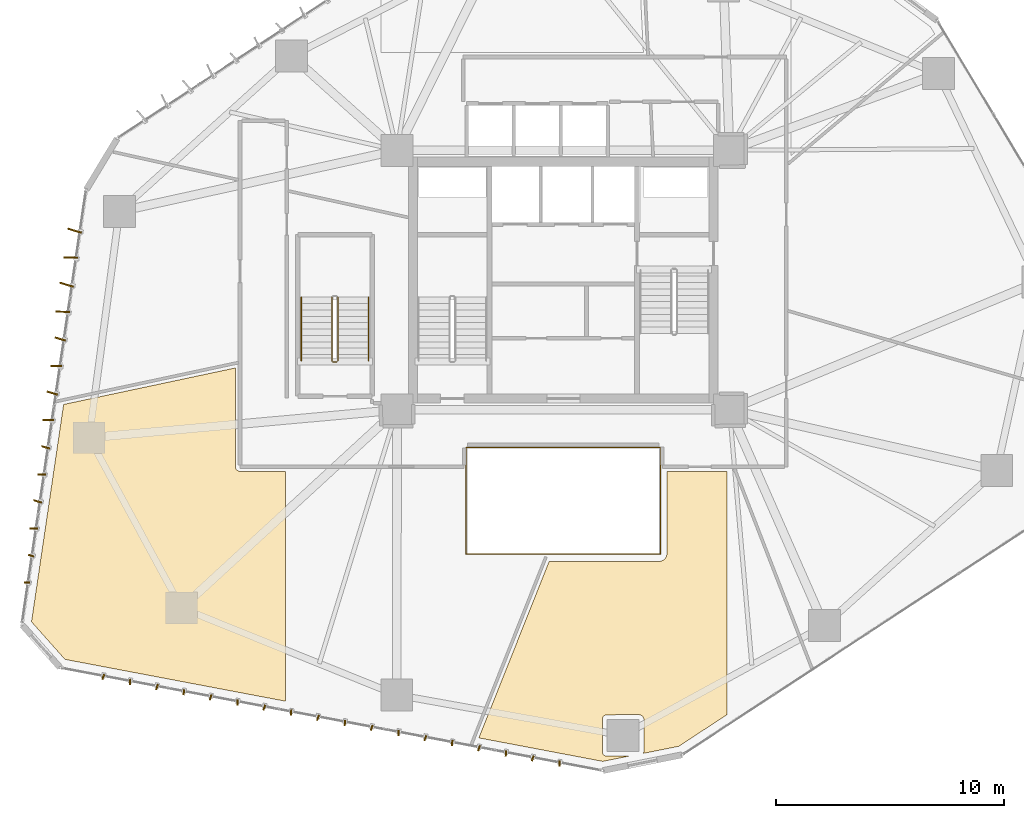
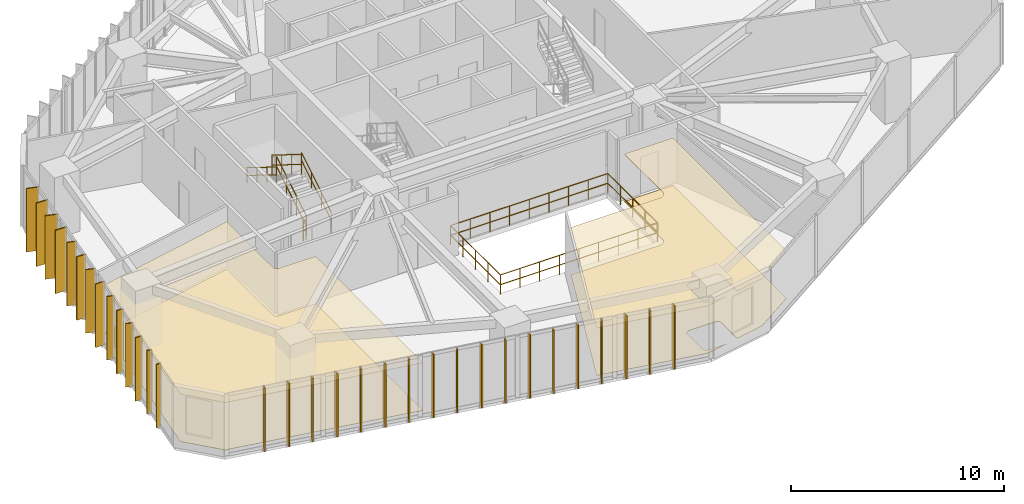
# One storey, part 19 of 20: 32 shading devices, 9 railings, 4 coverings.
"""IFC4 building model written with IfcOpenShell, lengths in metres."""

from ifc_helpers import new_model, si_unit, direction, frame, origin, origin_2d, place, context, subcontext, project, spatial, polyline, rectangle, circle, outline, extrude, source, transform, mapped, material, layer, layer_set, type_object, type_shapes, element, save


model = new_model("IFC4")

# Units and contexts
model_context = context("Model", 3, precision=1e-05, world=origin(), true_north=direction((0.0, 1.0)))
body_context = subcontext(model_context, "Body", "Model", "MODEL_VIEW")
ifc_project = project(units=[si_unit("LENGTHUNIT", "METRE"), si_unit("AREAUNIT", "SQUARE_METRE"), si_unit("VOLUMEUNIT", "CUBIC_METRE"), si_unit("PLANEANGLEUNIT", "RADIAN"), si_unit("MASSUNIT", "GRAM", prefix="KILO")], contexts=[model_context])

# Site, building, storey
site_placement = place(None, origin())
site = spatial("IfcSite", under=ifc_project, at=site_placement, CompositionType="ELEMENT")
building_placement = place(site_placement, origin())
building = spatial("IfcBuilding", under=site, at=building_placement, Name="Talar Marvaseh", CompositionType="ELEMENT")
storey_placement = place(building_placement, frame((0.0, 0.0, 58.199951171875)))
storey = spatial("IfcBuildingStorey", under=building, at=storey_placement, Name="L14", CompositionType="ELEMENT", Elevation=58.199951171875)

# Railings
ifc_material_1 = material(Name="Stainless Steel Grade 316", Category="steel")
railing_type_1 = type_object("IfcRailingType", Name="Brushed Stainless Wall Pitch Handrail 900", PredefinedType="HANDRAIL", material=ifc_material_1)
railing_1_placement = place(storey_placement, frame((17.449951171875, 27.64990234375, 0.1728515625)))
element("IfcRailing", 1, at=railing_1_placement, inside=storey, type_object=railing_type_1, Name="L14 ST-3 stair handrail 1", PredefinedType="HANDRAIL", context=body_context, shape_type="SweptSolid", body=[
    extrude(circle(Radius=0.02392578125, at=origin_2d()), frame((0.0, 0.0, 0.8759765625), z_axis=(0.0, 0.851089632645, 0.525020415988), x_axis=(-1.0, 0.0, 0.0)), (0.0, 0.0, 1.0), 3.2900390625),
    extrude(circle(Radius=0.02392578125, at=origin_2d()), frame((0.0, 0.0, 0.42578125), z_axis=(0.0, 0.851089632645, 0.525020415988), x_axis=(-1.0, 0.0, 0.0)), (0.0, 0.0, 1.0), 3.2900390625),
    extrude(circle(Radius=0.02099609375, at=origin_2d()), origin(), (0.0, 0.0, 1.0), 0.851806640625),
    extrude(circle(Radius=0.02099609375, at=origin_2d()), frame((0.0, 0.933349609375, 0.57568359375)), (0.0, 0.0, 1.0), 0.851806640625),
    extrude(circle(Radius=0.02099609375, at=origin_2d()), frame((0.0, 1.86669921875, 1.151611328125)), (0.0, 0.0, 1.0), 0.851806640625),
    extrude(circle(Radius=0.02099609375, at=origin_2d()), frame((0.0, 2.800048828125, 1.727294921875)), (0.0, 0.0, 1.0), 0.851806640625),
])
railing_2_placement = place(storey_placement, frame((14.489990234375, 30.449951171875, 2.07275390625)))
element("IfcRailing", 2, at=railing_2_placement, inside=storey, type_object=railing_type_1, Name="L14 ST-3 stair handrail 2", PredefinedType="HANDRAIL", context=body_context, shape_type="SweptSolid", body=[
    extrude(circle(Radius=0.02392578125, at=origin_2d()), frame((0.0, 0.0, 0.8759765625), z_axis=(0.0, -0.851089632645, 0.525020415988), x_axis=(1.0, 0.0, 0.0)), (0.0, 0.0, 1.0), 3.2900390625),
    extrude(circle(Radius=0.02392578125, at=origin_2d()), frame((0.0, 0.0, 0.42578125), z_axis=(0.0, -0.851089632645, 0.525020415988), x_axis=(1.0, 0.0, 0.0)), (0.0, 0.0, 1.0), 3.2900390625),
    extrude(circle(Radius=0.02099609375, at=origin_2d()), origin(), (0.0, 0.0, 1.0), 0.851806640625),
    extrude(circle(Radius=0.02099609375, at=origin_2d()), frame((0.0, -0.933349609375, 0.57568359375)), (0.0, 0.0, 1.0), 0.851806640625),
    extrude(circle(Radius=0.02099609375, at=origin_2d()), frame((0.0, -1.86669921875, 1.151611328125)), (0.0, 0.0, 1.0), 0.851806640625),
    extrude(circle(Radius=0.02099609375, at=origin_2d()), frame((0.0, -2.800048828125, 1.727294921875)), (0.0, 0.0, 1.0), 0.851806640625),
])
ifc_material_2 = material(Name="Tempered Clear Glass", Category="glass")
railing_type_2 = type_object("IfcRailingType", Name="Interior Atrium Edge Balustrade 1120", PredefinedType="BALUSTRADE", material=ifc_material_2)
railing_3_placement = place(storey_placement, frame((21.729736328125, 19.16162109375, 0.0)))
element("IfcRailing", 3, at=railing_3_placement, inside=storey, type_object=railing_type_2, Name="L14 Internal Daylight Atrium Balustrade 1", PredefinedType="BALUSTRADE", context=body_context, shape_type="SweptSolid", body=[
    extrude(circle(Radius=0.02392578125, at=origin_2d()), frame((0.0, 0.0, 1.09619140625), z_axis=(1.0, 0.0, 0.0), x_axis=(0.0, 1.0, 0.0)), (0.0, 0.0, 1.0), 8.54052734375),
    extrude(circle(Radius=0.02392578125, at=origin_2d()), frame((0.0, 0.0, 0.5361328125), z_axis=(1.0, 0.0, 0.0), x_axis=(0.0, 1.0, 0.0)), (0.0, 0.0, 1.0), 8.54052734375),
    extrude(circle(Radius=0.02099609375, at=origin_2d()), origin(), (0.0, 0.0, 1.0), 1.072021484375),
    extrude(circle(Radius=0.02099609375, at=origin_2d()), frame((1.067626953125, 0.0, 0.0)), (0.0, 0.0, 1.0), 1.072021484375),
    extrude(circle(Radius=0.02099609375, at=origin_2d()), frame((2.13525390625, 0.0, 0.0)), (0.0, 0.0, 1.0), 1.072021484375),
    extrude(circle(Radius=0.02099609375, at=origin_2d()), frame((3.20263671875, 0.0, 0.0)), (0.0, 0.0, 1.0), 1.072021484375),
    extrude(circle(Radius=0.02099609375, at=origin_2d()), frame((4.270263671875, 0.0, 0.0)), (0.0, 0.0, 1.0), 1.072021484375),
    extrude(circle(Radius=0.02099609375, at=origin_2d()), frame((5.337890625, 0.0, 0.0)), (0.0, 0.0, 1.0), 1.072021484375),
    extrude(circle(Radius=0.02099609375, at=origin_2d()), frame((6.4052734375, 0.0, 0.0)), (0.0, 0.0, 1.0), 1.072021484375),
    extrude(circle(Radius=0.02099609375, at=origin_2d()), frame((7.472900390625, 0.0, 0.0)), (0.0, 0.0, 1.0), 1.072021484375),
    extrude(circle(Radius=0.02099609375, at=origin_2d()), frame((8.54052734375, 0.0, 0.0)), (0.0, 0.0, 1.0), 1.072021484375),
])
railing_4_placement = place(storey_placement, frame((30.270263671875, 19.16162109375, 0.0)))
element("IfcRailing", 4, at=railing_4_placement, inside=storey, type_object=railing_type_2, Name="L14 Internal Daylight Atrium Balustrade 2", PredefinedType="BALUSTRADE", context=body_context, shape_type="SweptSolid", body=[
    extrude(circle(Radius=0.02392578125, at=origin_2d()), frame((0.0, 0.0, 1.09619140625), z_axis=(0.0, 1.0, 0.0), x_axis=(-1.0, 0.0, 0.0)), (0.0, 0.0, 1.0), 4.6767578125),
    extrude(circle(Radius=0.02392578125, at=origin_2d()), frame((0.0, 0.0, 0.5361328125), z_axis=(0.0, 1.0, 0.0), x_axis=(-1.0, 0.0, 0.0)), (0.0, 0.0, 1.0), 4.6767578125),
    extrude(circle(Radius=0.02099609375, at=origin_2d()), origin(), (0.0, 0.0, 1.0), 1.072021484375),
    extrude(circle(Radius=0.02099609375, at=origin_2d()), frame((0.0, 1.169189453125, 0.0)), (0.0, 0.0, 1.0), 1.072021484375),
    extrude(circle(Radius=0.02099609375, at=origin_2d()), frame((0.0, 2.33837890625, 0.0)), (0.0, 0.0, 1.0), 1.072021484375),
    extrude(circle(Radius=0.02099609375, at=origin_2d()), frame((0.0, 3.507568359375, 0.0)), (0.0, 0.0, 1.0), 1.072021484375),
    extrude(circle(Radius=0.02099609375, at=origin_2d()), frame((0.0, 4.6767578125, 0.0)), (0.0, 0.0, 1.0), 1.072021484375),
])
railing_5_placement = place(storey_placement, frame((30.270263671875, 23.83837890625, 0.0)))
element("IfcRailing", 5, at=railing_5_placement, inside=storey, type_object=railing_type_2, Name="L14 Internal Daylight Atrium Balustrade 3", PredefinedType="BALUSTRADE", context=body_context, shape_type="SweptSolid", body=[
    extrude(circle(Radius=0.02392578125, at=origin_2d()), frame((0.0, 0.0, 1.09619140625), z_axis=(-1.0, 0.0, 0.0), x_axis=(0.0, -1.0, 0.0)), (0.0, 0.0, 1.0), 8.54052734375),
    extrude(circle(Radius=0.02392578125, at=origin_2d()), frame((0.0, 0.0, 0.5361328125), z_axis=(-1.0, 0.0, 0.0), x_axis=(0.0, -1.0, 0.0)), (0.0, 0.0, 1.0), 8.54052734375),
    extrude(circle(Radius=0.02099609375, at=origin_2d()), origin(), (0.0, 0.0, 1.0), 1.072021484375),
    extrude(circle(Radius=0.02099609375, at=origin_2d()), frame((-1.067626953125, 0.0, 0.0)), (0.0, 0.0, 1.0), 1.072021484375),
    extrude(circle(Radius=0.02099609375, at=origin_2d()), frame((-2.13525390625, 0.0, 0.0)), (0.0, 0.0, 1.0), 1.072021484375),
    extrude(circle(Radius=0.02099609375, at=origin_2d()), frame((-3.20263671875, 0.0, 0.0)), (0.0, 0.0, 1.0), 1.072021484375),
    extrude(circle(Radius=0.02099609375, at=origin_2d()), frame((-4.270263671875, 0.0, 0.0)), (0.0, 0.0, 1.0), 1.072021484375),
    extrude(circle(Radius=0.02099609375, at=origin_2d()), frame((-5.337890625, 0.0, 0.0)), (0.0, 0.0, 1.0), 1.072021484375),
    extrude(circle(Radius=0.02099609375, at=origin_2d()), frame((-6.4052734375, 0.0, 0.0)), (0.0, 0.0, 1.0), 1.072021484375),
    extrude(circle(Radius=0.02099609375, at=origin_2d()), frame((-7.472900390625, 0.0, 0.0)), (0.0, 0.0, 1.0), 1.072021484375),
    extrude(circle(Radius=0.02099609375, at=origin_2d()), frame((-8.54052734375, 0.0, 0.0)), (0.0, 0.0, 1.0), 1.072021484375),
])
railing_6_placement = place(storey_placement, frame((21.729736328125, 23.83837890625, 0.0)))
element("IfcRailing", 6, at=railing_6_placement, inside=storey, type_object=railing_type_2, Name="L14 Internal Daylight Atrium Balustrade 4", PredefinedType="BALUSTRADE", context=body_context, shape_type="SweptSolid", body=[
    extrude(circle(Radius=0.02392578125, at=origin_2d()), frame((0.0, 0.0, 1.09619140625), z_axis=(0.0, -1.0, 0.0), x_axis=(1.0, 0.0, 0.0)), (0.0, 0.0, 1.0), 4.6767578125),
    extrude(circle(Radius=0.02392578125, at=origin_2d()), frame((0.0, 0.0, 0.5361328125), z_axis=(0.0, -1.0, 0.0), x_axis=(1.0, 0.0, 0.0)), (0.0, 0.0, 1.0), 4.6767578125),
    extrude(circle(Radius=0.02099609375, at=origin_2d()), origin(), (0.0, 0.0, 1.0), 1.072021484375),
    extrude(circle(Radius=0.02099609375, at=origin_2d()), frame((0.0, -1.169189453125, 0.0)), (0.0, 0.0, 1.0), 1.072021484375),
    extrude(circle(Radius=0.02099609375, at=origin_2d()), frame((0.0, -2.33837890625, 0.0)), (0.0, 0.0, 1.0), 1.072021484375),
    extrude(circle(Radius=0.02099609375, at=origin_2d()), frame((0.0, -3.507568359375, 0.0)), (0.0, 0.0, 1.0), 1.072021484375),
    extrude(circle(Radius=0.02099609375, at=origin_2d()), frame((0.0, -4.6767578125, 0.0)), (0.0, 0.0, 1.0), 1.072021484375),
])
railing_type_3 = type_object("IfcRailingType", Name="Painted Steel Core Stair Well Guardrail 1150", PredefinedType="GUARDRAIL", material=ifc_material_1)
railing_7_placement = place(storey_placement, frame((16.10009765625, 27.64990234375, 0.1728515625)))
element("IfcRailing", 7, at=railing_7_placement, inside=storey, type_object=railing_type_3, Name="L14 ST-3 stair guard 1", PredefinedType="GUARDRAIL", context=body_context, shape_type="SweptSolid", body=[
    extrude(circle(Radius=0.02392578125, at=origin_2d()), frame((0.0, 0.0, 1.1259765625), z_axis=(0.0, 0.851089632645, 0.525020415988), x_axis=(-1.0, 0.0, 0.0)), (0.0, 0.0, 1.0), 3.2900390625),
    extrude(circle(Radius=0.02392578125, at=origin_2d()), frame((0.0, 0.0, 0.55078125), z_axis=(0.0, 0.851089632645, 0.525020415988), x_axis=(-1.0, 0.0, 0.0)), (0.0, 0.0, 1.0), 3.2900390625),
    extrude(circle(Radius=0.02099609375, at=origin_2d()), origin(), (0.0, 0.0, 1.0), 1.101806640625),
    extrude(circle(Radius=0.02099609375, at=origin_2d()), frame((0.0, 0.933349609375, 0.57568359375)), (0.0, 0.0, 1.0), 1.101806640625),
    extrude(circle(Radius=0.02099609375, at=origin_2d()), frame((0.0, 1.86669921875, 1.151611328125)), (0.0, 0.0, 1.0), 1.101806640625),
    extrude(circle(Radius=0.02099609375, at=origin_2d()), frame((0.0, 2.800048828125, 1.727294921875)), (0.0, 0.0, 1.0), 1.101806640625),
])
railing_8_placement = place(storey_placement, frame((15.840087890625, 30.449951171875, 2.07275390625)))
element("IfcRailing", 8, at=railing_8_placement, inside=storey, type_object=railing_type_3, Name="L14 ST-3 stair guard 3", PredefinedType="GUARDRAIL", context=body_context, shape_type="SweptSolid", body=[
    extrude(circle(Radius=0.02392578125, at=origin_2d()), frame((0.0, 0.0, 1.1259765625), z_axis=(0.0, -0.851089632645, 0.525020415988), x_axis=(1.0, 0.0, 0.0)), (0.0, 0.0, 1.0), 3.2900390625),
    extrude(circle(Radius=0.02392578125, at=origin_2d()), frame((0.0, 0.0, 0.55078125), z_axis=(0.0, -0.851089632645, 0.525020415988), x_axis=(1.0, 0.0, 0.0)), (0.0, 0.0, 1.0), 3.2900390625),
    extrude(circle(Radius=0.02099609375, at=origin_2d()), origin(), (0.0, 0.0, 1.0), 1.101806640625),
    extrude(circle(Radius=0.02099609375, at=origin_2d()), frame((0.0, -0.933349609375, 0.57568359375)), (0.0, 0.0, 1.0), 1.101806640625),
    extrude(circle(Radius=0.02099609375, at=origin_2d()), frame((0.0, -1.86669921875, 1.151611328125)), (0.0, 0.0, 1.0), 1.101806640625),
    extrude(circle(Radius=0.02099609375, at=origin_2d()), frame((0.0, -2.800048828125, 1.727294921875)), (0.0, 0.0, 1.0), 1.101806640625),
])
railing_9_placement = place(storey_placement, frame((16.050048828125, 27.60009765625, 0.0)))
element("IfcRailing", 9, at=railing_9_placement, inside=storey, type_object=railing_type_3, Name="L14 ST-3 stair guard 4", PredefinedType="GUARDRAIL", context=body_context, shape_type="SweptSolid", body=[
    extrude(circle(Radius=0.02392578125, at=origin_2d()), frame((0.0, 0.0, 1.1259765625), z_axis=(-1.0, 0.0, 0.0), x_axis=(0.0, -1.0, 0.0)), (0.0, 0.0, 1.0), 0.16015625),
    extrude(circle(Radius=0.02392578125, at=origin_2d()), frame((0.0, 0.0, 0.55078125), z_axis=(-1.0, 0.0, 0.0), x_axis=(0.0, -1.0, 0.0)), (0.0, 0.0, 1.0), 0.16015625),
    extrude(circle(Radius=0.02099609375, at=origin_2d()), origin(), (0.0, 0.0, 1.0), 1.101806640625),
    extrude(circle(Radius=0.02099609375, at=origin_2d()), frame((-0.16015625, 0.0, 0.0)), (0.0, 0.0, 1.0), 1.101806640625),
])

# Coverings
ifc_material_3 = material(Name="Mineral Fibre Acoustic Ceiling")
ifc_layer_1 = layer(ifc_material_3, 0.02490234375)
ifc_layer_set_1 = layer_set([ifc_layer_1], Name="Mineral Fibre Acoustic Ceiling")
covering_type_1 = type_object("IfcCoveringType", Name="Perforated Mineral Fibre Acoustic Suspended Ceiling", PredefinedType="CEILING", material=ifc_layer_set_1)
covering_1_placement = place(storey_placement, frame((0.0, 0.0, 2.719970703125)))
element("IfcCovering", 10, at=covering_1_placement, inside=storey, type_object=covering_type_1, Name="L14 Exhibition Gallery Acoustic Ceiling", PredefinedType="CEILING", context=body_context, shape_type="SweptSolid", body=[
    extrude(outline(polyline([(2.6416015625, 16.188720703125), (4.052001953125, 25.73779296875), (11.60009765625, 27.342041015625), (11.60009765625, 23.0), (11.60107421875, 22.98046875), (11.603759765625, 22.9609375), (11.608642578125, 22.94189453125), (11.615234375, 22.923583984375), (11.62353515625, 22.90576171875), (11.6337890625, 22.888916015625), (11.6455078125, 22.873046875), (11.65869140625, 22.858642578125), (11.673095703125, 22.845458984375), (11.68896484375, 22.833740234375), (11.705810546875, 22.823486328125), (11.723388671875, 22.815185546875), (11.741943359375, 22.80859375), (11.760986328125, 22.8037109375), (11.780517578125, 22.801025390625), (11.800048828125, 22.800048828125), (13.800048828125, 22.800048828125), (13.800048828125, 12.700439453125), (4.110595703125, 14.53857421875), (2.6416015625, 16.188720703125)])), origin(), (0.0, 0.0, 1.0), 0.025146484375),
])
covering_2_placement = place(storey_placement, frame((0.0, 0.0, 2.719970703125)))
element("IfcCovering", 11, at=covering_2_placement, inside=storey, type_object=covering_type_1, Name="L14 Museum Publication Bookshop Acoustic Ceiling", PredefinedType="CEILING", context=body_context, shape_type="SweptSolid", body=[
    extrude(outline(polyline([(25.377685546875, 18.840087890625), (30.199951171875, 18.840087890625), (30.21630859375, 18.8408203125), (30.232666015625, 18.8427734375), (30.24853515625, 18.845947265625), (30.323974609375, 18.864990234375), (30.3427734375, 18.87060546875), (30.361083984375, 18.878173828125), (30.37841796875, 18.887451171875), (30.39453125, 18.898193359375), (30.432373046875, 18.92626953125), (30.447509765625, 18.938720703125), (30.461181640625, 18.95263671875), (30.4736328125, 18.9677734375), (30.501708984375, 19.00537109375), (30.5126953125, 19.021728515625), (30.52197265625, 19.0390625), (30.529296875, 19.05712890625), (30.53515625, 19.075927734375), (30.553955078125, 19.1513671875), (30.557373046875, 19.16748046875), (30.559326171875, 19.18359375), (30.56005859375, 19.199951171875), (30.56005859375, 22.800048828125), (33.199951171875, 22.800048828125), (33.199951171875, 12.115478515625), (31.07275390625, 10.72119140625), (29.522216796875, 10.412841796875), (29.52685546875, 10.42578125), (29.53173828125, 10.44482421875), (29.53466796875, 10.464111328125), (29.53564453125, 10.48388671875), (29.539794921875, 11.89599609375), (29.5390625, 11.91455078125), (29.53662109375, 11.932861328125), (29.5322265625, 11.950927734375), (29.5263671875, 11.96875), (29.518798828125, 11.985595703125), (29.509765625, 12.001953125), (29.499267578125, 12.017333984375), (29.4873046875, 12.031494140625), (29.47412109375, 12.044677734375), (29.459228515625, 12.05810546875), (29.445068359375, 12.070068359375), (29.4296875, 12.080322265625), (29.41357421875, 12.08935546875), (29.396728515625, 12.0966796875), (29.379150390625, 12.1025390625), (29.361083984375, 12.106689453125), (29.3427734375, 12.109130859375), (29.324462890625, 12.110107421875), (27.913818359375, 12.105712890625), (27.894287109375, 12.1044921875), (27.874755859375, 12.1015625), (27.85595703125, 12.0966796875), (27.83740234375, 12.090087890625), (27.819580078125, 12.081787109375), (27.802978515625, 12.07177734375), (27.787353515625, 12.06005859375), (27.772705078125, 12.046875), (27.759521484375, 12.0322265625), (27.748046875, 12.0166015625), (27.73779296875, 11.999755859375), (27.7294921875, 11.98193359375), (27.722900390625, 11.96337890625), (27.71826171875, 11.944580078125), (27.71533203125, 11.92529296875), (27.71435546875, 11.905517578125), (27.71435546875, 10.484375), (27.71533203125, 10.46484375), (27.71826171875, 10.4453125), (27.722900390625, 10.42626953125), (27.7294921875, 10.407958984375), (27.738037109375, 10.39013671875), (27.748046875, 10.373291015625), (27.759765625, 10.357421875), (27.77294921875, 10.343017578125), (27.78759765625, 10.329833984375), (27.80322265625, 10.318115234375), (27.820068359375, 10.30810546875), (27.837890625, 10.299560546875), (27.856201171875, 10.29296875), (27.87548828125, 10.2880859375), (27.894775390625, 10.285400390625), (27.914306640625, 10.284423828125), (28.876708984375, 10.284423828125), (27.734375, 10.05712890625), (22.29345703125, 11.08935546875), (25.377685546875, 18.840087890625)])), origin(), (0.0, 0.0, 1.0), 0.025146484375),
])
ifc_material_4 = material(Name="Porcelain Stoneware Tile", Category="masonry")
ifc_layer_2 = layer(ifc_material_4, 0.02001953125)
ifc_layer_set_2 = layer_set([ifc_layer_2], Name="Porcelain Stoneware Tile")
covering_type_2 = type_object("IfcCoveringType", Name="Polished Porcelain Stoneware Gallery Flooring", PredefinedType="FLOORING", material=ifc_layer_set_2)
covering_3_placement = place(storey_placement, origin())
element("IfcCovering", 12, at=covering_3_placement, inside=storey, type_object=covering_type_2, Name="L14 Exhibition Gallery Flooring", PredefinedType="FLOORING", context=body_context, shape_type="SweptSolid", body=[
    extrude(outline(polyline([(2.6416015625, 16.188720703125), (4.052001953125, 25.73779296875), (11.60009765625, 27.342041015625), (11.60009765625, 23.0), (11.60107421875, 22.98046875), (11.603759765625, 22.9609375), (11.608642578125, 22.94189453125), (11.615234375, 22.923583984375), (11.62353515625, 22.90576171875), (11.6337890625, 22.888916015625), (11.6455078125, 22.873046875), (11.65869140625, 22.858642578125), (11.673095703125, 22.845458984375), (11.68896484375, 22.833740234375), (11.705810546875, 22.823486328125), (11.723388671875, 22.815185546875), (11.741943359375, 22.80859375), (11.760986328125, 22.8037109375), (11.780517578125, 22.801025390625), (11.800048828125, 22.800048828125), (13.800048828125, 22.800048828125), (13.800048828125, 12.700439453125), (4.110595703125, 14.53857421875), (2.6416015625, 16.188720703125)])), origin(), (0.0, 0.0, 1.0), 0.02001953125),
])
covering_4_placement = place(storey_placement, origin())
element("IfcCovering", 13, at=covering_4_placement, inside=storey, type_object=covering_type_2, Name="L14 Museum Publication Bookshop Flooring", PredefinedType="FLOORING", context=body_context, shape_type="SweptSolid", body=[
    extrude(outline(polyline([(25.377685546875, 18.840087890625), (30.199951171875, 18.840087890625), (30.21630859375, 18.8408203125), (30.232666015625, 18.8427734375), (30.24853515625, 18.845947265625), (30.323974609375, 18.864990234375), (30.3427734375, 18.87060546875), (30.361083984375, 18.878173828125), (30.37841796875, 18.887451171875), (30.39453125, 18.898193359375), (30.432373046875, 18.92626953125), (30.447509765625, 18.938720703125), (30.461181640625, 18.95263671875), (30.4736328125, 18.9677734375), (30.501708984375, 19.00537109375), (30.5126953125, 19.021728515625), (30.52197265625, 19.0390625), (30.529296875, 19.05712890625), (30.53515625, 19.075927734375), (30.553955078125, 19.1513671875), (30.557373046875, 19.16748046875), (30.559326171875, 19.18359375), (30.56005859375, 19.199951171875), (30.56005859375, 22.800048828125), (33.199951171875, 22.800048828125), (33.199951171875, 12.115478515625), (31.07275390625, 10.72119140625), (29.522216796875, 10.412841796875), (29.52685546875, 10.42578125), (29.53173828125, 10.44482421875), (29.53466796875, 10.464111328125), (29.53564453125, 10.48388671875), (29.539794921875, 11.89599609375), (29.5390625, 11.91455078125), (29.53662109375, 11.932861328125), (29.5322265625, 11.950927734375), (29.5263671875, 11.96875), (29.518798828125, 11.985595703125), (29.509765625, 12.001953125), (29.499267578125, 12.017333984375), (29.4873046875, 12.031494140625), (29.47412109375, 12.044677734375), (29.459228515625, 12.05810546875), (29.445068359375, 12.070068359375), (29.4296875, 12.080322265625), (29.41357421875, 12.08935546875), (29.396728515625, 12.0966796875), (29.379150390625, 12.1025390625), (29.361083984375, 12.106689453125), (29.3427734375, 12.109130859375), (29.324462890625, 12.110107421875), (27.913818359375, 12.105712890625), (27.894287109375, 12.1044921875), (27.874755859375, 12.1015625), (27.85595703125, 12.0966796875), (27.83740234375, 12.090087890625), (27.819580078125, 12.081787109375), (27.802978515625, 12.07177734375), (27.787353515625, 12.06005859375), (27.772705078125, 12.046875), (27.759521484375, 12.0322265625), (27.748046875, 12.0166015625), (27.73779296875, 11.999755859375), (27.7294921875, 11.98193359375), (27.722900390625, 11.96337890625), (27.71826171875, 11.944580078125), (27.71533203125, 11.92529296875), (27.71435546875, 11.905517578125), (27.71435546875, 10.484375), (27.71533203125, 10.46484375), (27.71826171875, 10.4453125), (27.722900390625, 10.42626953125), (27.7294921875, 10.407958984375), (27.738037109375, 10.39013671875), (27.748046875, 10.373291015625), (27.759765625, 10.357421875), (27.77294921875, 10.343017578125), (27.78759765625, 10.329833984375), (27.80322265625, 10.318115234375), (27.820068359375, 10.30810546875), (27.837890625, 10.299560546875), (27.856201171875, 10.29296875), (27.87548828125, 10.2880859375), (27.894775390625, 10.285400390625), (27.914306640625, 10.284423828125), (28.876708984375, 10.284423828125), (27.734375, 10.05712890625), (22.29345703125, 11.08935546875), (25.377685546875, 18.840087890625)])), origin(), (0.0, 0.0, 1.0), 0.02001953125),
])

# Shading devices
ifc_material_5 = material(Name="Anodised Champagne Bronze Aluminium", Category="aluminium")
ifc_layer_3 = layer(ifc_material_5, 0.06494140625)
ifc_layer_set_3 = layer_set([ifc_layer_3], Name="Anodised Champagne Bronze Aluminium")
shading_device_type_1 = type_object("IfcShadingDeviceType", Name="Sawtooth Champagne Bronze Vertical Fin 240", PredefinedType="USERDEFINED", material=ifc_layer_set_3)
shared_shape_1 = source(origin(), body_context, "Body", "SweptSolid", [
    extrude(rectangle(XDim=0.239990234375, YDim=0.06494140625, at=origin_2d()), origin(), (0.0, 0.0, 1.0), 3.639892578125),
])
type_shapes(shading_device_type_1, [shared_shape_1])
for number, where, z_axis, x_axis, name in (
    (14, (2.446044921875, 17.910400390625, -0.1201171875), (0.0, 0.0, 1.0), (-0.999975630705, 0.006981260298, 0.0), "L14 Sawtooth Vertical Solar Fin"),
    (15, (2.621337890625, 19.097412109375, -0.1201171875), (0.0, 0.0, 1.0), (-0.95931397454, 0.282341456843, 0.0), "L14 Sawtooth Vertical Solar Fin"),
    (16, (25.83642578125, 9.964111328125, -0.1201171875), (0.0, 0.0, 1.0), (-0.047803795861, -0.998856745035, 0.0), "L14 Sawtooth Vertical Solar Fin"),
    (17, (24.657470703125, 10.18798828125, -0.1201171875), (0.0, 0.0, 1.0), (-0.321274189923, -0.946986216842, 0.0), "L14 Sawtooth Vertical Solar Fin"),
    (18, (23.478515625, 10.41162109375, -0.1201171875), (0.0, 0.0, 1.0), (-0.047803795861, -0.998856745035, 0.0), "L14 Sawtooth Vertical Solar Fin"),
    (19, (22.299560546875, 10.63525390625, -0.1201171875), (0.0, 0.0, 1.0), (-0.321274189923, -0.946986216842, 0.0), "L14 Sawtooth Vertical Solar Fin"),
    (20, (21.12060546875, 10.85888671875, -0.1201171875), (0.0, 0.0, 1.0), (-0.047803795861, -0.998856745035, 0.0), "L14 Sawtooth Vertical Solar Fin"),
    (21, (19.94140625, 11.08251953125, -0.1201171875), (0.0, 0.0, 1.0), (-0.321274189923, -0.946986216842, 0.0), "L14 Sawtooth Vertical Solar Fin"),
    (22, (18.7626953125, 11.30615234375, -0.1201171875), (0.0, 0.0, 1.0), (-0.047803795861, -0.998856745035, 0.0), "L14 Sawtooth Vertical Solar Fin"),
    (23, (17.58349609375, 11.52978515625, -0.1201171875), (0.0, 0.0, 1.0), (-0.321274189923, -0.946986216842, 0.0), "L14 Sawtooth Vertical Solar Fin"),
    (24, (16.404541015625, 11.75341796875, -0.1201171875), (0.0, 0.0, 1.0), (-0.047803795861, -0.998856745035, 0.0), "L14 Sawtooth Vertical Solar Fin"),
    (25, (15.2255859375, 11.97705078125, -0.1201171875), (0.0, 0.0, 1.0), (-0.321274189923, -0.946986216842, 0.0), "L14 Sawtooth Vertical Solar Fin"),
    (26, (14.046630859375, 12.20068359375, -0.1201171875), (0.0, 0.0, 1.0), (-0.047803795861, -0.998856745035, 0.0), "L14 Sawtooth Vertical Solar Fin"),
    (27, (12.86767578125, 12.42431640625, -0.1201171875), (0.0, 0.0, 1.0), (-0.321274189923, -0.946986216842, 0.0), "L14 Sawtooth Vertical Solar Fin"),
    (28, (11.688720703125, 12.64794921875, -0.1201171875), (0.0, 0.0, 1.0), (-0.047803795861, -0.998856745035, 0.0), "L14 Sawtooth Vertical Solar Fin"),
    (29, (10.509765625, 12.87158203125, -0.1201171875), (0.0, 0.0, 1.0), (-0.321274189923, -0.946986216842, 0.0), "L14 Sawtooth Vertical Solar Fin"),
    (30, (9.330810546875, 13.09521484375, -0.1201171875), (0.0, 0.0, 1.0), (-0.047803795861, -0.998856745035, 0.0), "L14 Sawtooth Vertical Solar Fin"),
    (31, (8.15185546875, 13.31884765625, -0.1201171875), (0.0, 0.0, 1.0), (-0.321274189923, -0.946986216842, 0.0), "L14 Sawtooth Vertical Solar Fin"),
    (32, (6.972900390625, 13.54248046875, -0.1201171875), (0.0, 0.0, 1.0), (-0.047803795861, -0.998856745035, 0.0), "L14 Sawtooth Vertical Solar Fin"),
    (33, (5.793701171875, 13.76611328125, -0.1201171875), (0.0, 0.0, 1.0), (-0.321274189923, -0.946986216842, 0.0), "L14 Sawtooth Vertical Solar Fin"),
):
    element("IfcShadingDevice", number, at=place(storey_placement, frame(where, z_axis=z_axis, x_axis=x_axis)), inside=storey, type_object=shading_device_type_1, Name=name, ObjectType="FIN", PredefinedType="USERDEFINED", context=body_context, shape_type="MappedRepresentation", body=[
        mapped(shared_shape_1, transform((0.0, 0.0, 0.0), x_axis=(1.0, 0.0, 0.0), y_axis=(0.0, 1.0, 0.0), z_axis=(0.0, 0.0, 1.0), scale=1.0)),
    ])
ifc_layer_4 = layer(ifc_material_5, 0.06494140625)
ifc_layer_set_4 = layer_set([ifc_layer_4], Name="Anodised Champagne Bronze Aluminium")
shading_device_type_2 = type_object("IfcShadingDeviceType", Name="Sawtooth Champagne Bronze Vertical Fin 360", PredefinedType="USERDEFINED", material=ifc_layer_set_4)
shared_shape_2 = source(origin(), body_context, "Body", "SweptSolid", [
    extrude(rectangle(XDim=0.360107421875, YDim=0.06494140625, at=origin_2d()), origin(), (0.0, 0.0, 1.0), 3.639892578125),
])
type_shapes(shading_device_type_2, [shared_shape_2])
for number, where, z_axis, x_axis, name in (
    (34, (2.7373046875, 20.293212890625, -0.1201171875), (0.0, 0.0, 1.0), (-0.999975630705, 0.006981260298, 0.0), "L14 Sawtooth Vertical Solar Fin"),
    (35, (2.91259765625, 21.48046875, -0.1201171875), (0.0, 0.0, 1.0), (-0.95931397454, 0.282341456843, 0.0), "L14 Sawtooth Vertical Solar Fin"),
    (36, (3.088134765625, 22.66748046875, -0.1201171875), (0.0, 0.0, 1.0), (-0.999975630705, 0.006981260298, 0.0), "L14 Sawtooth Vertical Solar Fin"),
    (37, (3.263427734375, 23.8544921875, -0.1201171875), (0.0, 0.0, 1.0), (-0.95931397454, 0.282341456843, 0.0), "L14 Sawtooth Vertical Solar Fin"),
):
    element("IfcShadingDevice", number, at=place(storey_placement, frame(where, z_axis=z_axis, x_axis=x_axis)), inside=storey, type_object=shading_device_type_2, Name=name, ObjectType="FIN", PredefinedType="USERDEFINED", context=body_context, shape_type="MappedRepresentation", body=[
        mapped(shared_shape_2, transform((0.0, 0.0, 0.0), x_axis=(1.0, 0.0, 0.0), y_axis=(0.0, 1.0, 0.0), z_axis=(0.0, 0.0, 1.0), scale=1.0)),
    ])
ifc_layer_5 = layer(ifc_material_5, 0.06494140625)
ifc_layer_set_5 = layer_set([ifc_layer_5], Name="Anodised Champagne Bronze Aluminium")
shading_device_type_3 = type_object("IfcShadingDeviceType", Name="Sawtooth Champagne Bronze Vertical Fin 480", PredefinedType="USERDEFINED", material=ifc_layer_set_5)
shared_shape_3 = source(origin(), body_context, "Body", "SweptSolid", [
    extrude(rectangle(XDim=0.47998046875, YDim=0.06494140625, at=origin_2d()), origin(), (0.0, 0.0, 1.0), 3.639892578125),
])
type_shapes(shading_device_type_3, [shared_shape_3])
for number, where, z_axis, x_axis, name in (
    (38, (3.37939453125, 25.050537109375, -0.1201171875), (0.0, 0.0, 1.0), (-0.999975630705, 0.006981260298, 0.0), "L14 Sawtooth Vertical Solar Fin"),
    (39, (3.554931640625, 26.237548828125, -0.1201171875), (0.0, 0.0, 1.0), (-0.95931397454, 0.282341456843, 0.0), "L14 Sawtooth Vertical Solar Fin"),
    (40, (3.730224609375, 27.4248046875, -0.1201171875), (0.0, 0.0, 1.0), (-0.999975630705, 0.006981260298, 0.0), "L14 Sawtooth Vertical Solar Fin"),
    (41, (3.90576171875, 28.61181640625, -0.1201171875), (0.0, 0.0, 1.0), (-0.95931397454, 0.282341456843, 0.0), "L14 Sawtooth Vertical Solar Fin"),
):
    element("IfcShadingDevice", number, at=place(storey_placement, frame(where, z_axis=z_axis, x_axis=x_axis)), inside=storey, type_object=shading_device_type_3, Name=name, ObjectType="FIN", PredefinedType="USERDEFINED", context=body_context, shape_type="MappedRepresentation", body=[
        mapped(shared_shape_3, transform((0.0, 0.0, 0.0), x_axis=(1.0, 0.0, 0.0), y_axis=(0.0, 1.0, 0.0), z_axis=(0.0, 0.0, 1.0), scale=1.0)),
    ])
ifc_layer_6 = layer(ifc_material_5, 0.06494140625)
ifc_layer_set_6 = layer_set([ifc_layer_6], Name="Anodised Champagne Bronze Aluminium")
shading_device_type_4 = type_object("IfcShadingDeviceType", Name="Sawtooth Champagne Bronze Vertical Fin 620", PredefinedType="USERDEFINED", material=ifc_layer_set_6)
shared_shape_4 = source(origin(), body_context, "Body", "SweptSolid", [
    extrude(rectangle(XDim=0.6201171875, YDim=0.06494140625, at=origin_2d()), origin(), (0.0, 0.0, 1.0), 3.639892578125),
])
type_shapes(shading_device_type_4, [shared_shape_4])
for number, where, z_axis, x_axis, name in (
    (42, (4.01171875, 29.80908203125, -0.1201171875), (0.0, 0.0, 1.0), (-0.999975630705, 0.006981260298, 0.0), "L14 Sawtooth Vertical Solar Fin"),
    (43, (4.187255859375, 30.996337890625, -0.1201171875), (0.0, 0.0, 1.0), (-0.95931397454, 0.282341456843, 0.0), "L14 Sawtooth Vertical Solar Fin"),
    (44, (4.362548828125, 32.183349609375, -0.1201171875), (0.0, 0.0, 1.0), (-0.999975630705, 0.006981260298, 0.0), "L14 Sawtooth Vertical Solar Fin"),
    (45, (4.537841796875, 33.37060546875, -0.1201171875), (0.0, 0.0, 1.0), (-0.95931397454, 0.282341456843, 0.0), "L14 Sawtooth Vertical Solar Fin"),
):
    element("IfcShadingDevice", number, at=place(storey_placement, frame(where, z_axis=z_axis, x_axis=x_axis)), inside=storey, type_object=shading_device_type_4, Name=name, ObjectType="FIN", PredefinedType="USERDEFINED", context=body_context, shape_type="MappedRepresentation", body=[
        mapped(shared_shape_4, transform((0.0, 0.0, 0.0), x_axis=(1.0, 0.0, 0.0), y_axis=(0.0, 1.0, 0.0), z_axis=(0.0, 0.0, 1.0), scale=1.0)),
    ])

save(model, "model.ifc")
